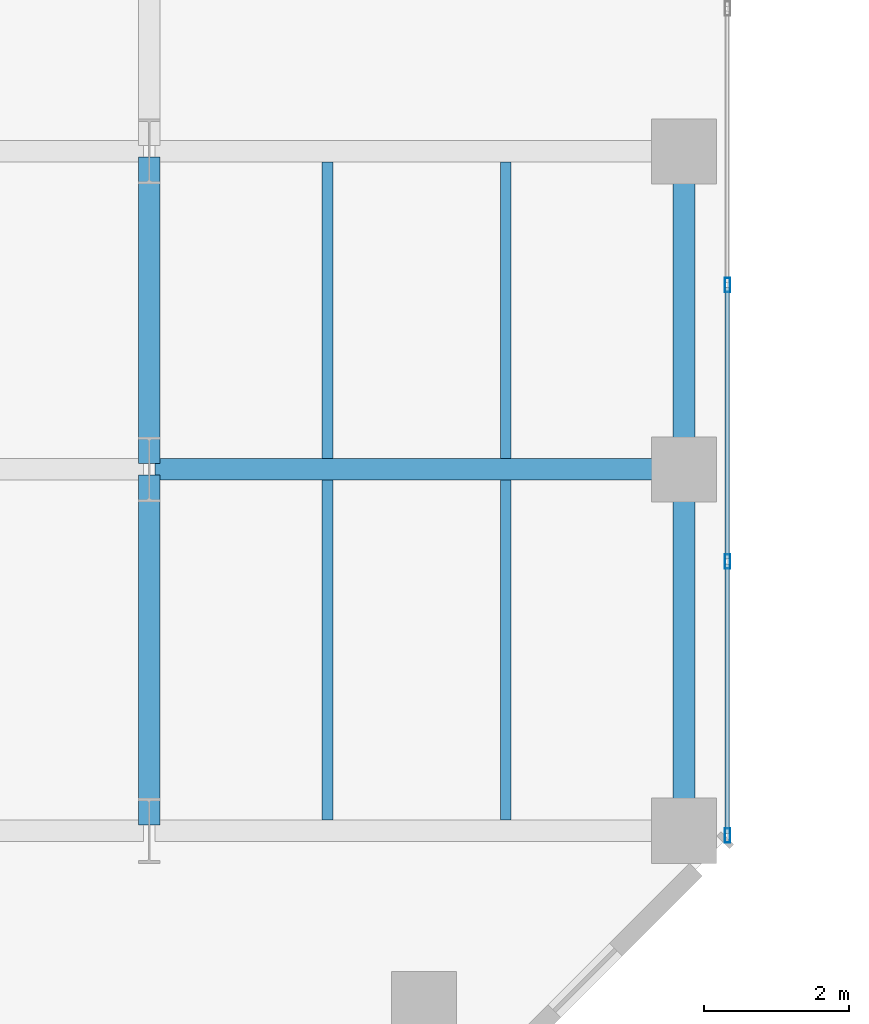
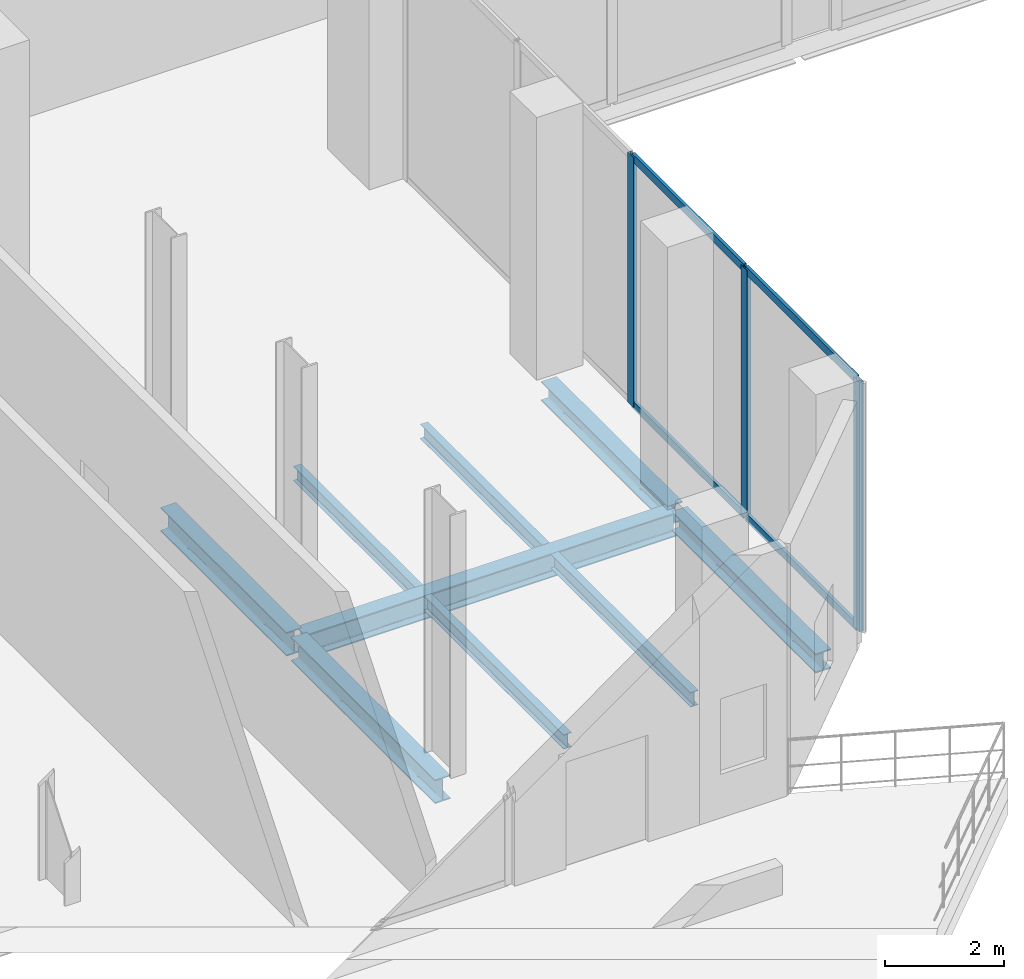
# One storey, part 5 of 24: 9 beams, 7 members, 1 element without a shape of its own.
"""IFC4 building model written with IfcOpenShell, lengths in metres."""

from ifc_helpers import new_model, si_unit, direction, frame, origin, origin_2d, place, context, subcontext, project, spatial, hollow_rectangle, i_section, extrude, material, layer, layer_set, material_profile, profile_set, type_object, element, aggregate, save


model = new_model("IFC4")

# Units and contexts
model_context = context("Model", 3, precision=1e-05, world=origin(), true_north=direction((0.0, 1.0)))
body_context = subcontext(model_context, "Body", "Model", "MODEL_VIEW")
ifc_project = project(units=[si_unit("LENGTHUNIT", "METRE"), si_unit("AREAUNIT", "SQUARE_METRE"), si_unit("VOLUMEUNIT", "CUBIC_METRE"), si_unit("PLANEANGLEUNIT", "RADIAN"), si_unit("MASSUNIT", "GRAM", prefix="KILO")], contexts=[model_context])

# Site, building, storey
site_placement = place(None, origin())
site = spatial("IfcSite", under=ifc_project, at=site_placement, CompositionType="ELEMENT")
building_placement = place(site_placement, origin())
building = spatial("IfcBuilding", under=site, at=building_placement, Name="Catumbela Crestline Tower", CompositionType="ELEMENT")
storey_placement = place(building_placement, frame((0.0, 0.0, 84.6)))
storey = spatial("IfcBuildingStorey", under=building, at=storey_placement, Name="L21", CompositionType="ELEMENT", Elevation=84.6)

# Beams
ifc_material_1 = material(Name="Structural steel S355J2", Category="steel")
ifc_material_profile_1 = material_profile(ifc_material_1, i_section(OverallWidth=0.3, OverallDepth=0.49, WebThickness=0.012, FlangeThickness=0.023, FilletRadius=0.027, at=origin_2d()), Name="HEA 500")
ifc_profile_set_1 = profile_set([ifc_material_profile_1], Name="Structural steel S355J2")
beam_type_1 = type_object("IfcBeamType", Name="BG-HEA500", PredefinedType="BEAM", material=ifc_profile_set_1)
beam_1_placement = place(storey_placement, frame((16.08, 13.6, -0.595), z_axis=(1.0, 0.0, 0.0), x_axis=(0.0, 1.0, 0.0)))
element("IfcBeam", 1, at=beam_1_placement, inside=storey, type_object=beam_type_1, Name="L21 Beam BM-L21-WEW48", PredefinedType="BEAM", context=body_context, shape_type="SweptSolid", body=[
    extrude(i_section(OverallWidth=0.3, OverallDepth=0.49, WebThickness=0.012, FlangeThickness=0.023, FilletRadius=0.027, at=origin_2d()), origin(), (0.0, 0.0, 1.0), 7.24),
])
beam_2_placement = place(storey_placement, frame((16.0, 8.68, -0.595), z_axis=(0.0, 1.0, 0.0), x_axis=(-1.0, 0.0, 0.0)))
element("IfcBeam", 2, at=beam_2_placement, inside=storey, type_object=beam_type_1, Name="L21 Beam BM-L21-WNS58", PredefinedType="BEAM", context=body_context, shape_type="SweptSolid", body=[
    extrude(i_section(OverallWidth=0.3, OverallDepth=0.49, WebThickness=0.012, FlangeThickness=0.023, FilletRadius=0.027, at=origin_2d()), origin(), (0.0, 0.0, 1.0), 4.84),
])
beam_3_placement = place(storey_placement, frame((16.0, 13.68, -0.595), z_axis=(0.0, 1.0, 0.0), x_axis=(-1.0, 0.0, 0.0)))
element("IfcBeam", 3, at=beam_3_placement, inside=storey, type_object=beam_type_1, Name="L21 Beam BM-L21-WNS59", PredefinedType="BEAM", context=body_context, shape_type="SweptSolid", body=[
    extrude(i_section(OverallWidth=0.3, OverallDepth=0.49, WebThickness=0.012, FlangeThickness=0.023, FilletRadius=0.027, at=origin_2d()), origin(), (0.0, 0.0, 1.0), 4.24),
])
ifc_material_profile_2 = material_profile(ifc_material_1, i_section(OverallWidth=0.15, OverallDepth=0.3, WebThickness=0.0071, FlangeThickness=0.0107, FilletRadius=0.015, at=origin_2d()), Name="IPE 300")
ifc_profile_set_2 = profile_set([ifc_material_profile_2], Name="Structural steel S355J2")
beam_type_2 = type_object("IfcBeamType", Name="BJ-IPE300", PredefinedType="JOIST", material=ifc_profile_set_2)
for number, where, z_axis, x_axis, name in (
    (4, (18.467, 8.747, -0.5), (0.0, 1.0, 0.0), (-1.0, 0.0, 0.0), "L21 Joist JS-L21-WG67"),
    (5, (20.933, 8.747, -0.5), (0.0, 1.0, 0.0), (-1.0, 0.0, 0.0), "L21 Joist JS-L21-WG68"),
):
    element("IfcBeam", number, at=place(storey_placement, frame(where, z_axis=z_axis, x_axis=x_axis)), inside=storey, type_object=beam_type_2, Name=name, PredefinedType="JOIST", context=body_context, shape_type="SweptSolid", body=[
        extrude(i_section(OverallWidth=0.15, OverallDepth=0.3, WebThickness=0.0071, FlangeThickness=0.0107, FilletRadius=0.015, at=origin_2d()), origin(), (0.0, 0.0, 1.0), 4.706),
    ])
for number, where, z_axis, x_axis, name in (
    (6, (18.467, 13.747, -0.5), (0.0, 1.0, 0.0), (-1.0, 0.0, 0.0), "L21 Joist JS-L21-WG73"),
    (7, (20.933, 13.747, -0.5), (0.0, 1.0, 0.0), (-1.0, 0.0, 0.0), "L21 Joist JS-L21-WG74"),
):
    element("IfcBeam", number, at=place(storey_placement, frame(where, z_axis=z_axis, x_axis=x_axis)), inside=storey, type_object=beam_type_2, Name=name, PredefinedType="JOIST", context=body_context, shape_type="SweptSolid", body=[
        extrude(i_section(OverallWidth=0.15, OverallDepth=0.3, WebThickness=0.0071, FlangeThickness=0.0107, FilletRadius=0.015, at=origin_2d()), origin(), (0.0, 0.0, 1.0), 4.106),
    ])

# Curtain wall, members
ifc_material_2 = material(Name="Aluminium alloy AW-6060-T66", Category="aluminium")
ifc_layer = layer(ifc_material_2, 0.18, Name="Aluminium alloy AW-6060-T66")
ifc_layer_set = layer_set([ifc_layer], Name="Aluminium alloy AW-6060-T66")
curtain_wall_type = type_object("IfcCurtainWallType", Name="CWU-SKY", PredefinedType="USERDEFINED", material=ifc_layer_set)
curtain_wall_placement = place(storey_placement, origin())
curtain_wall = element("IfcCurtainWall", 8, at=curtain_wall_placement, inside=storey, type_object=curtain_wall_type, Name="L21 Unitised Curtain Wall CW-L21-E2S1", ObjectType="UNITISED", PredefinedType="USERDEFINED")
ifc_material_profile_3 = material_profile(ifc_material_2, hollow_rectangle(XDim=0.075, YDim=0.2, WallThickness=0.005, at=origin_2d()), Name="ALU 200x75x5")
ifc_profile_set_3 = profile_set([ifc_material_profile_3], Name="Aluminium alloy AW-6060-T66")
member_type_1 = type_object("IfcMemberType", Name="MUL-200X75", PredefinedType="MULLION", material=ifc_profile_set_3)
member_1_placement = place(storey_placement, frame((24.0, 8.5325, 0.0), z_axis=(0.0, 0.0, 1.0), x_axis=(-1.0, 0.0, 0.0)))
member_1 = element("IfcMember", 9, at=member_1_placement, type_object=member_type_1, Name="CWU-SKY mullion 1", PredefinedType="MULLION", context=body_context, shape_type="SweptSolid", body=[
    extrude(hollow_rectangle(XDim=0.075, YDim=0.2, WallThickness=0.005, at=origin_2d()), origin(), (0.0, 0.0, 1.0), 5.13),
])
member_2_placement = place(storey_placement, frame((24.0, 12.325, 0.0), z_axis=(0.0, 0.0, 1.0), x_axis=(-1.0, 0.0, 0.0)))
member_2 = element("IfcMember", 10, at=member_2_placement, type_object=member_type_1, Name="CWU-SKY mullion 2", PredefinedType="MULLION", context=body_context, shape_type="SweptSolid", body=[
    extrude(hollow_rectangle(XDim=0.075, YDim=0.2, WallThickness=0.005, at=origin_2d()), origin(), (0.0, 0.0, 1.0), 5.13),
])
member_3_placement = place(storey_placement, frame((24.0, 16.15, 0.0), z_axis=(0.0, 0.0, 1.0), x_axis=(-1.0, 0.0, 0.0)))
member_3 = element("IfcMember", 11, at=member_3_placement, type_object=member_type_1, Name="CWU-SKY mullion 3", PredefinedType="MULLION", context=body_context, shape_type="SweptSolid", body=[
    extrude(hollow_rectangle(XDim=0.075, YDim=0.2, WallThickness=0.005, at=origin_2d()), origin(), (0.0, 0.0, 1.0), 5.13),
])

# Beams
ifc_material_profile_4 = material_profile(ifc_material_1, i_section(OverallWidth=0.3, OverallDepth=0.4, WebThickness=0.0135, FlangeThickness=0.024, FilletRadius=0.027, at=origin_2d()), Name="HEB 400")
ifc_profile_set_4 = profile_set([ifc_material_profile_4], Name="Structural steel S355J2")
beam_type_3 = type_object("IfcBeamType", Name="BS-HEB400", PredefinedType="SPANDREL", material=ifc_profile_set_4)
beam_4_placement = place(storey_placement, frame((23.4, 8.68, -0.55), z_axis=(0.0, 1.0, 0.0), x_axis=(-1.0, 0.0, 0.0)))
element("IfcBeam", 12, at=beam_4_placement, inside=storey, type_object=beam_type_3, Name="L21 Spandrel SP-L21-WNS61", PredefinedType="SPANDREL", context=body_context, shape_type="SweptSolid", body=[
    extrude(i_section(OverallWidth=0.3, OverallDepth=0.4, WebThickness=0.0135, FlangeThickness=0.024, FilletRadius=0.027, at=origin_2d()), origin(), (0.0, 0.0, 1.0), 4.84),
])
beam_5_placement = place(storey_placement, frame((23.4, 13.68, -0.55), z_axis=(0.0, 1.0, 0.0), x_axis=(-1.0, 0.0, 0.0)))
element("IfcBeam", 13, at=beam_5_placement, inside=storey, type_object=beam_type_3, Name="L21 Spandrel SP-L21-WNS62", PredefinedType="SPANDREL", context=body_context, shape_type="SweptSolid", body=[
    extrude(i_section(OverallWidth=0.3, OverallDepth=0.4, WebThickness=0.0135, FlangeThickness=0.024, FilletRadius=0.027, at=origin_2d()), origin(), (0.0, 0.0, 1.0), 4.24),
])

# Member
ifc_material_profile_5 = material_profile(ifc_material_2, hollow_rectangle(XDim=0.06, YDim=0.16, WallThickness=0.004, at=origin_2d()), Name="ALU 160x60x4")
ifc_profile_set_5 = profile_set([ifc_material_profile_5], Name="Aluminium alloy AW-6060-T66")
member_type_2 = type_object("IfcMemberType", Name="TRN-160X60", PredefinedType="USERDEFINED", material=ifc_profile_set_5)
member_4_placement = place(storey_placement, frame((24.0, 8.565, 0.03), z_axis=(0.0, 1.0, 0.0), x_axis=(-1.0, 0.0, 0.0)))
member_4 = element("IfcMember", 14, at=member_4_placement, type_object=member_type_2, Name="CWU-SKY transom 1.1", ObjectType="TRANSOM", PredefinedType="USERDEFINED", context=body_context, shape_type="SweptSolid", body=[
    extrude(hollow_rectangle(XDim=0.06, YDim=0.16, WallThickness=0.004, at=origin_2d()), origin(), (0.0, 0.0, 1.0), 3.7275),
])

member_5_placement = place(storey_placement, frame((24.0, 8.565, 5.1), z_axis=(0.0, 1.0, 0.0), x_axis=(-1.0, 0.0, 0.0)))
member_5 = element("IfcMember", 15, at=member_5_placement, type_object=member_type_2, Name="CWU-SKY transom 1.2", ObjectType="TRANSOM", PredefinedType="USERDEFINED", context=body_context, shape_type="SweptSolid", body=[
    extrude(hollow_rectangle(XDim=0.06, YDim=0.16, WallThickness=0.004, at=origin_2d()), origin(), (0.0, 0.0, 1.0), 3.7275),
])

member_6_placement = place(storey_placement, frame((24.0, 12.3575, 0.03), z_axis=(0.0, 1.0, 0.0), x_axis=(-1.0, 0.0, 0.0)))
member_6 = element("IfcMember", 16, at=member_6_placement, type_object=member_type_2, Name="CWU-SKY transom 2.1", ObjectType="TRANSOM", PredefinedType="USERDEFINED", context=body_context, shape_type="SweptSolid", body=[
    extrude(hollow_rectangle(XDim=0.06, YDim=0.16, WallThickness=0.004, at=origin_2d()), origin(), (0.0, 0.0, 1.0), 3.76),
])

member_7_placement = place(storey_placement, frame((24.0, 12.3575, 5.1), z_axis=(0.0, 1.0, 0.0), x_axis=(-1.0, 0.0, 0.0)))
member_7 = element("IfcMember", 17, at=member_7_placement, type_object=member_type_2, Name="CWU-SKY transom 2.2", ObjectType="TRANSOM", PredefinedType="USERDEFINED", context=body_context, shape_type="SweptSolid", body=[
    extrude(hollow_rectangle(XDim=0.06, YDim=0.16, WallThickness=0.004, at=origin_2d()), origin(), (0.0, 0.0, 1.0), 3.76),
])

aggregate(curtain_wall, [member_1, member_2, member_3, member_4, member_5, member_6, member_7])

save(model, "model.ifc")
